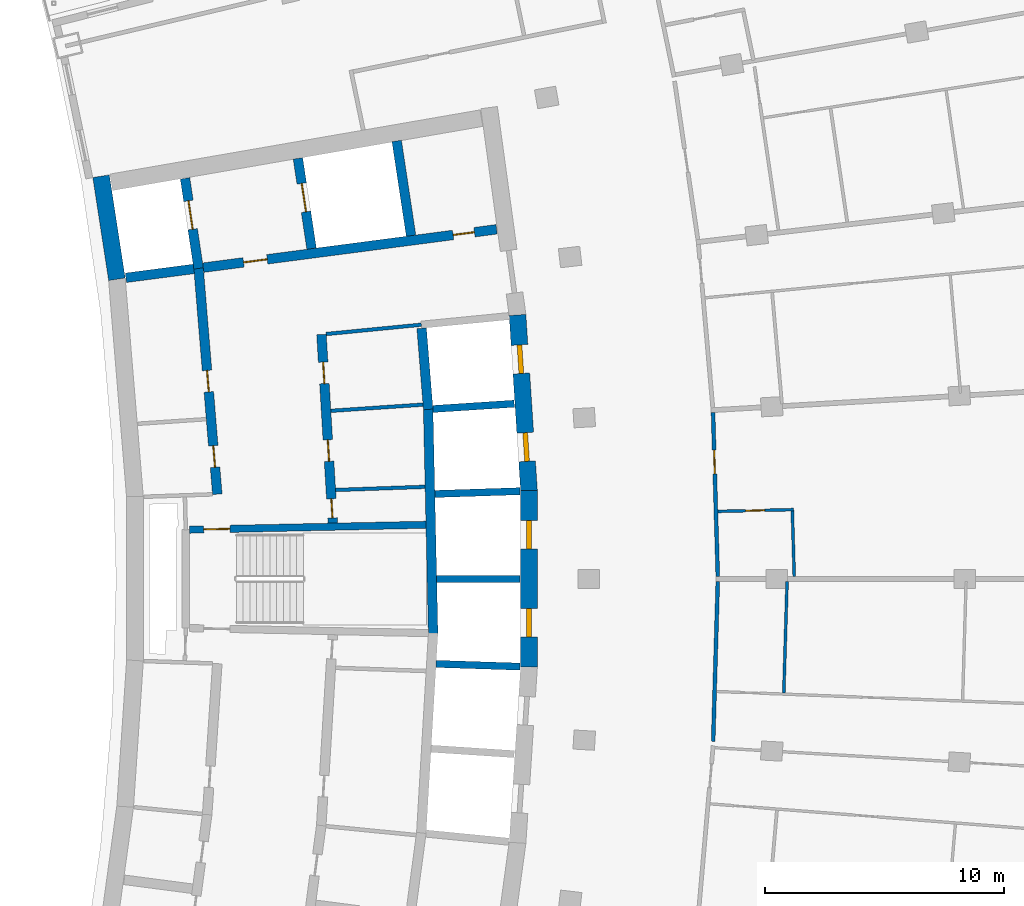
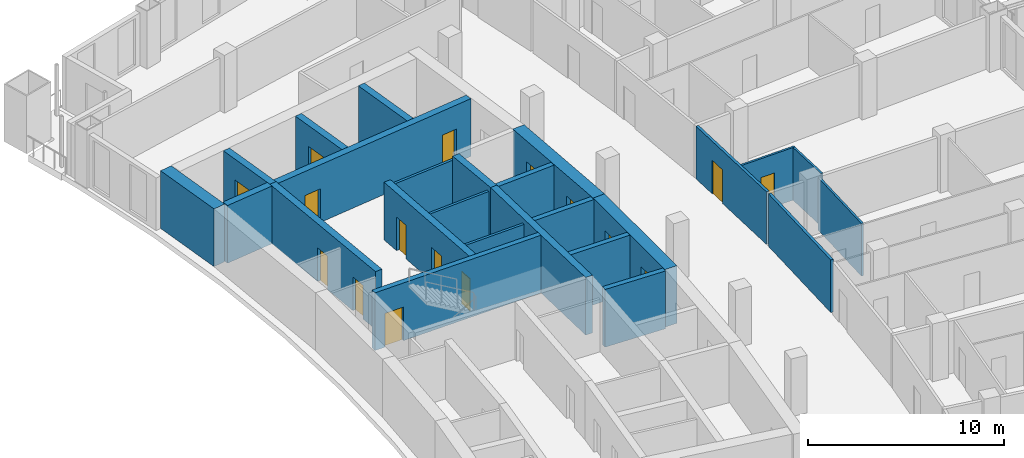
# One storey, part 13 of 20: 25 walls, 16 doors, 16 openings.
"""IFC4 building model written with IfcOpenShell, lengths in metres."""

from ifc_helpers import new_model, si_unit, direction, frame, frame_2d, origin, place, context, subcontext, project, spatial, rectangle, extrude, material, layer, layer_set, type_object, element, fill, save


model = new_model("IFC4")

# Units and contexts
model_context = context("Model", 3, precision=1e-05, world=origin(), true_north=direction((0.0, 1.0)))
body_context = subcontext(model_context, "Body", "Model", "MODEL_VIEW")
ifc_project = project(units=[si_unit("LENGTHUNIT", "METRE"), si_unit("AREAUNIT", "SQUARE_METRE"), si_unit("VOLUMEUNIT", "CUBIC_METRE"), si_unit("PLANEANGLEUNIT", "RADIAN"), si_unit("MASSUNIT", "GRAM", prefix="KILO")], contexts=[model_context])

# Site, building, storey
site_placement = place(None, origin())
site = spatial("IfcSite", under=ifc_project, at=site_placement, CompositionType="ELEMENT")
building_placement = place(site_placement, origin())
building = spatial("IfcBuilding", under=site, at=building_placement, Name="Alderwake Tower", CompositionType="ELEMENT")
storey_placement = place(building_placement, frame((0.0, 0.0, 164.0)))
storey = spatial("IfcBuildingStorey", under=building, at=storey_placement, Name="L40", CompositionType="ELEMENT", Elevation=164.0)

# Walls
ifc_material_1 = material(Name="Gypsum shaft wall system, rated")
ifc_layer_1 = layer(ifc_material_1, 0.14990234375)
ifc_layer_set_1 = layer_set([ifc_layer_1], Name="Core riser partition 150")
wall_type_1 = type_object("IfcWallType", Name="Core riser partition 150", PredefinedType="PARTITIONING", material=ifc_layer_set_1)
wall_1_placement = place(storey_placement, frame((25.191162109375, 64.723388671875, 0.0), z_axis=(0.0, 0.0, 1.0), x_axis=(0.999373256208, 0.035399078746, 0.0)))
element("IfcWall", 1, at=wall_1_placement, inside=storey, type_object=wall_type_1, Name="CW/L40/PR+37_+86", PredefinedType="PARTITIONING", context=body_context, shape_type="SweptSolid", body=[
    extrude(rectangle(XDim=3.751953125, YDim=0.14990234375, at=frame_2d((1.8759765625, 0.0))), origin(), (0.0, 0.0, 1.0), 3.280029296875),
])
ifc_material_2 = material(Name="Gypsum shaft wall system, rated")
ifc_layer_2 = layer(ifc_material_2, 0.14990234375)
ifc_layer_set_2 = layer_set([ifc_layer_2], Name="Core room partition 150")
wall_type_2 = type_object("IfcWallType", Name="Core room partition 150", PredefinedType="PARTITIONING", material=ifc_layer_set_2)
wall_2_placement = place(storey_placement, frame((24.992431640625, 68.038818359375, 0.0), z_axis=(0.0, 0.0, 1.0), x_axis=(0.997760236964, 0.066891774789, 0.0)))
element("IfcWall", 2, at=wall_2_placement, inside=storey, type_object=wall_type_2, Name="CW/L40/PR+70_+86", PredefinedType="PARTITIONING", context=body_context, shape_type="SweptSolid", body=[
    extrude(rectangle(XDim=3.86865234375, YDim=0.14990234375, at=frame_2d((1.934326171875, 0.0))), origin(), (0.0, 0.0, 1.0), 3.280029296875),
])
wall_3_placement = place(storey_placement, frame((24.799560546875, 71.2548828125, 0.0), z_axis=(0.0, 0.0, 1.0), x_axis=(0.995250000627, 0.097352125046, 0.0)))
element("IfcWall", 3, at=wall_3_placement, inside=storey, type_object=wall_type_2, Name="CW/L40/PR+102_+86", PredefinedType="PARTITIONING", context=body_context, shape_type="SweptSolid", body=[
    extrude(rectangle(XDim=4.0, YDim=0.14990234375, at=frame_2d((2.0, 0.0))), origin(), (0.0, 0.0, 1.0), 3.280029296875),
])
ifc_material_3 = material(Name="Concrete C70/85", Category="concrete")
ifc_layer_3 = layer(ifc_material_3, 0.699951171875)
ifc_layer_set_3 = layer_set([ifc_layer_3], Name="Core wall outer 700 C70-85")
wall_type_3 = type_object("IfcWallType", Name="Core wall outer 700 C70-85", PredefinedType="SHEAR", material=ifc_layer_set_3)
wall_4_placement = place(storey_placement, frame((16.033935546875, 73.547607421875, 0.0), z_axis=(0.0, 0.0, 1.0), x_axis=(-0.151897483467, 0.988396253795, 0.0)))
element("IfcWall", 4, at=wall_4_placement, inside=storey, type_object=wall_type_3, Name="Core wall CW.039", PredefinedType="SHEAR", context=body_context, shape_type="SweptSolid", body=[
    extrude(rectangle(XDim=4.365234375, YDim=0.699951171875, at=frame_2d((2.1826171875, 0.0))), origin(), (0.0, 0.0, 1.0), 3.60009765625),
])

# Wall, openings, doors
wall_5_placement = place(storey_placement, frame((33.2900390625, 57.30322265625, 0.0), z_axis=(0.0, 0.0, 1.0), x_axis=(0.0, 1.0, 0.0)))
wall_5 = element("IfcWall", 5, at=wall_5_placement, inside=storey, type_object=wall_type_3, Name="Core wall CW.013", PredefinedType="SHEAR", context=body_context, shape_type="SweptSolid", body=[
    extrude(rectangle(XDim=7.3935546875, YDim=0.699951171875, at=frame_2d((3.69677734375, 0.0))), origin(), (0.0, 0.0, 1.0), 3.60009765625),
])
opening_1_placement = place(wall_5_placement, frame((1.254150390625, 0.0, 0.0)))
opening_1 = element("IfcOpeningElement", 6, at=opening_1_placement, cuts=wall_5, Name="Opening LD-HP3", PredefinedType="OPENING", context=body_context, shape_type="SweptSolid", body=[
    extrude(rectangle(XDim=1.199951171875, YDim=2.300048828125, at=frame_2d((0.60009765625, 1.14990234375))), frame((0.0, 0.35986328125, 0.0), z_axis=(0.0, -1.0, 0.0), x_axis=(1.0, 0.0, 0.0)), (0.0, 0.0, 1.0), 0.719970703125),
])
opening_2_placement = place(wall_5_placement, frame((4.939208984375, 0.0, 0.0)))
opening_2 = element("IfcOpeningElement", 7, at=opening_2_placement, cuts=wall_5, Name="Opening LD-HP4", PredefinedType="OPENING", context=body_context, shape_type="SweptSolid", body=[
    extrude(rectangle(XDim=1.199951171875, YDim=2.300048828125, at=frame_2d((0.60009765625, 1.14990234375))), frame((0.0, 0.35986328125, 0.0), z_axis=(0.0, -1.0, 0.0), x_axis=(1.0, 0.0, 0.0)), (0.0, 0.0, 1.0), 0.719970703125),
])
ifc_material_4 = material(Name="Stainless steel sliding leaf", Category="steel")
door_type_1 = type_object("IfcDoorType", Name="Lift landing door 1200", OperationType="SLIDING_TO_LEFT", PredefinedType="DOOR", material=ifc_material_4)
door_1_placement = place(opening_1_placement, origin())
door_1 = element("IfcDoor", 8, at=door_1_placement, inside=storey, type_object=door_type_1, Name="Lift landing door HP3", OperationType="SLIDING_TO_LEFT", OverallHeight=2.300048828125, OverallWidth=1.199951171875, PredefinedType="DOOR", context=body_context, shape_type="SweptSolid", body=[
    extrude(rectangle(XDim=1.199951171875, YDim=2.300048828125, at=frame_2d((0.60009765625, 1.14990234375))), frame((0.0, 0.10009765625, 0.0), z_axis=(0.0, -1.0, 0.0), x_axis=(1.0, 0.0, 0.0)), (0.0, 0.0, 1.0), 0.199951171875),
])
fill(opening_1, door_1)
door_2_placement = place(opening_2_placement, origin())
door_2 = element("IfcDoor", 9, at=door_2_placement, inside=storey, type_object=door_type_1, Name="Lift landing door HP4", OperationType="SLIDING_TO_LEFT", OverallHeight=2.300048828125, OverallWidth=1.199951171875, PredefinedType="DOOR", context=body_context, shape_type="SweptSolid", body=[
    extrude(rectangle(XDim=1.199951171875, YDim=2.300048828125, at=frame_2d((0.60009765625, 1.14990234375))), frame((0.0, 0.10009765625, 0.0), z_axis=(0.0, -1.0, 0.0), x_axis=(1.0, 0.0, 0.0)), (0.0, 0.0, 1.0), 0.199951171875),
])
fill(opening_2, door_2)

wall_6_placement = place(storey_placement, frame((33.291015625, 64.6728515625, 0.0), z_axis=(0.0, 0.0, 1.0), x_axis=(-0.065009096017, 0.99788467141, 0.0)))
wall_6 = element("IfcWall", 10, at=wall_6_placement, inside=storey, type_object=wall_type_3, Name="Core wall CW.010", PredefinedType="SHEAR", context=body_context, shape_type="SweptSolid", body=[
    extrude(rectangle(XDim=7.39453125, YDim=0.699951171875, at=frame_2d((3.697265625, 0.0))), origin(), (0.0, 0.0, 1.0), 3.60009765625),
])
opening_3_placement = place(wall_6_placement, frame((1.25390625, 0.0, 0.0)))
opening_3 = element("IfcOpeningElement", 11, at=opening_3_placement, cuts=wall_6, Name="Opening LD-HP5", PredefinedType="OPENING", context=body_context, shape_type="SweptSolid", body=[
    extrude(rectangle(XDim=1.199951171875, YDim=2.300048828125, at=frame_2d((0.60009765625, 1.14990234375))), frame((0.0, 0.35986328125, 0.0), z_axis=(0.0, -1.0, 0.0), x_axis=(1.0, 0.0, 0.0)), (0.0, 0.0, 1.0), 0.719970703125),
])
opening_4_placement = place(wall_6_placement, frame((4.939208984375, 0.0, 0.0)))
opening_4 = element("IfcOpeningElement", 12, at=opening_4_placement, cuts=wall_6, Name="Opening LD-HP6", PredefinedType="OPENING", context=body_context, shape_type="SweptSolid", body=[
    extrude(rectangle(XDim=1.199951171875, YDim=2.300048828125, at=frame_2d((0.60009765625, 1.14990234375))), frame((0.0, 0.35986328125, 0.0), z_axis=(0.0, -1.0, 0.0), x_axis=(1.0, 0.0, 0.0)), (0.0, 0.0, 1.0), 0.719970703125),
])
door_3_placement = place(opening_3_placement, origin())
door_3 = element("IfcDoor", 13, at=door_3_placement, inside=storey, type_object=door_type_1, Name="Lift landing door HP5", OperationType="SLIDING_TO_LEFT", OverallHeight=2.300048828125, OverallWidth=1.199951171875, PredefinedType="DOOR", context=body_context, shape_type="SweptSolid", body=[
    extrude(rectangle(XDim=1.199951171875, YDim=2.300048828125, at=frame_2d((0.60009765625, 1.14990234375))), frame((0.0, 0.10009765625, 0.0), z_axis=(0.0, -1.0, 0.0), x_axis=(1.0, 0.0, 0.0)), (0.0, 0.0, 1.0), 0.199951171875),
])
fill(opening_3, door_3)
door_4_placement = place(opening_4_placement, origin())
door_4 = element("IfcDoor", 14, at=door_4_placement, inside=storey, type_object=door_type_1, Name="Lift landing door HP6", OperationType="SLIDING_TO_LEFT", OverallHeight=2.300048828125, OverallWidth=1.199951171875, PredefinedType="DOOR", context=body_context, shape_type="SweptSolid", body=[
    extrude(rectangle(XDim=1.199951171875, YDim=2.300048828125, at=frame_2d((0.60009765625, 1.14990234375))), frame((0.0, 0.10009765625, 0.0), z_axis=(0.0, -1.0, 0.0), x_axis=(1.0, 0.0, 0.0)), (0.0, 0.0, 1.0), 0.199951171875),
])
fill(opening_4, door_4)

# Walls
ifc_material_5 = material(Name="Concrete C70/85", Category="concrete")
ifc_layer_4 = layer(ifc_material_5, 0.300048828125)
ifc_layer_set_4 = layer_set([ifc_layer_4], Name="Core wall shaft 300 C70-85")
wall_type_4 = type_object("IfcWallType", Name="Core wall shaft 300 C70-85", PredefinedType="SHEAR", material=ifc_layer_set_4)
wall_7_placement = place(storey_placement, frame((29.400634765625, 57.441650390625, 0.0), z_axis=(0.0, 0.0, 1.0), x_axis=(0.999472716164, -0.032469826675, 0.0)))
element("IfcWall", 15, at=wall_7_placement, inside=storey, type_object=wall_type_4, Name="Core wall CW.075", PredefinedType="SHEAR", context=body_context, shape_type="SweptSolid", body=[
    extrude(rectangle(XDim=3.511474609375, YDim=0.300048828125, at=frame_2d((1.755859375, 0.0))), origin(), (0.0, 0.0, 1.0), 3.60009765625),
])
wall_8_placement = place(storey_placement, frame((29.426025390625, 61.0, 0.0), z_axis=(0.0, 0.0, 1.0), x_axis=(1.0, 0.0, 0.0)))
element("IfcWall", 16, at=wall_8_placement, inside=storey, type_object=wall_type_4, Name="Core wall CW.048", PredefinedType="SHEAR", context=body_context, shape_type="SweptSolid", body=[
    extrude(rectangle(XDim=3.484130859375, YDim=0.300048828125, at=frame_2d((1.7421875, 0.0))), origin(), (0.0, 0.0, 1.0), 3.60009765625),
])
wall_9_placement = place(storey_placement, frame((29.347412109375, 64.556396484375, 0.0), z_axis=(0.0, 0.0, 1.0), x_axis=(0.999470674121, 0.03253262319, 0.0)))
element("IfcWall", 17, at=wall_9_placement, inside=storey, type_object=wall_type_4, Name="Core wall CW.058", PredefinedType="SHEAR", context=body_context, shape_type="SweptSolid", body=[
    extrude(rectangle(XDim=3.564697265625, YDim=0.300048828125, at=frame_2d((1.7822265625, 0.0))), origin(), (0.0, 0.0, 1.0), 3.60009765625),
])
wall_10_placement = place(storey_placement, frame((29.268798828125, 68.115478515625, 0.0), z_axis=(0.0, 0.0, 1.0), x_axis=(0.997884450261, 0.065012490553, 0.0)))
element("IfcWall", 18, at=wall_10_placement, inside=storey, type_object=wall_type_4, Name="Core wall CW.061", PredefinedType="SHEAR", context=body_context, shape_type="SweptSolid", body=[
    extrude(rectangle(XDim=3.409912109375, YDim=0.300048828125, at=frame_2d((1.705078125, 0.0))), origin(), (0.0, 0.0, 1.0), 3.60009765625),
])

# Wall, openings, doors
ifc_material_6 = material(Name="Concrete C70/85", Category="concrete")
ifc_layer_5 = layer(ifc_material_6, 0.39990234375)
ifc_layer_set_5 = layer_set([ifc_layer_5], Name="Core wall spine 400 C70-85")
wall_type_5 = type_object("IfcWallType", Name="Core wall spine 400 C70-85", PredefinedType="SHEAR", material=ifc_layer_set_5)
wall_11_placement = place(storey_placement, frame((19.452392578125, 74.014892578125, 0.0), z_axis=(0.0, 0.0, 1.0), x_axis=(0.082628585297, -0.996580411654, 0.0)))
wall_11 = element("IfcWall", 19, at=wall_11_placement, inside=storey, type_object=wall_type_5, Name="Core wall CW.031", PredefinedType="SHEAR", context=body_context, shape_type="SweptSolid", body=[
    extrude(rectangle(XDim=9.499267578125, YDim=0.39990234375, at=frame_2d((4.74951171875, 0.0))), origin(), (0.0, 0.0, 1.0), 3.60009765625),
])
opening_5_placement = place(wall_11_placement, frame((7.4677734375, 0.0, 0.0)))
opening_5 = element("IfcOpeningElement", 20, at=opening_5_placement, cuts=wall_11, Name="Opening C053", PredefinedType="OPENING", context=body_context, shape_type="SweptSolid", body=[
    extrude(rectangle(XDim=0.89990234375, YDim=2.10009765625, at=frame_2d((0.449951171875, 1.050048828125))), frame((0.0, 0.2099609375, 0.0), z_axis=(0.0, -1.0, 0.0), x_axis=(1.0, 0.0, 0.0)), (0.0, 0.0, 1.0), 0.419921875),
])
opening_6_placement = place(wall_11_placement, frame((4.302978515625, 0.0, 0.0)))
opening_6 = element("IfcOpeningElement", 21, at=opening_6_placement, cuts=wall_11, Name="Opening C054", PredefinedType="OPENING", context=body_context, shape_type="SweptSolid", body=[
    extrude(rectangle(XDim=0.89990234375, YDim=2.10009765625, at=frame_2d((0.449951171875, 1.050048828125))), frame((0.0, 0.2099609375, 0.0), z_axis=(0.0, -1.0, 0.0), x_axis=(1.0, 0.0, 0.0)), (0.0, 0.0, 1.0), 0.419921875),
])
ifc_material_7 = material(Name="Painted steel leaf", Category="steel")
door_type_2 = type_object("IfcDoorType", Name="Core room door 900", OperationType="SINGLE_SWING_LEFT", PredefinedType="DOOR", material=ifc_material_7)
door_5_placement = place(opening_5_placement, origin())
door_5 = element("IfcDoor", 22, at=door_5_placement, inside=storey, type_object=door_type_2, Name="Room door", OperationType="SINGLE_SWING_LEFT", OverallHeight=2.10009765625, OverallWidth=0.89990234375, PredefinedType="DOOR", context=body_context, shape_type="SweptSolid", body=[
    extrude(rectangle(XDim=0.89990234375, YDim=2.10009765625, at=frame_2d((0.449951171875, 1.050048828125))), frame((0.0, 0.02490234375, 0.0), z_axis=(0.0, -1.0, 0.0), x_axis=(1.0, 0.0, 0.0)), (0.0, 0.0, 1.0), 0.050048828125),
])
fill(opening_5, door_5)
door_6_placement = place(opening_6_placement, origin())
door_6 = element("IfcDoor", 23, at=door_6_placement, inside=storey, type_object=door_type_2, Name="Room door", OperationType="SINGLE_SWING_RIGHT", OverallHeight=2.10009765625, OverallWidth=0.89990234375, PredefinedType="DOOR", context=body_context, shape_type="SweptSolid", body=[
    extrude(rectangle(XDim=0.89990234375, YDim=2.10009765625, at=frame_2d((0.449951171875, 1.050048828125))), frame((0.0, 0.02490234375, 0.0), z_axis=(0.0, -1.0, 0.0), x_axis=(1.0, 0.0, 0.0)), (0.0, 0.0, 1.0), 0.050048828125),
])
fill(opening_6, door_6)

# Wall, opening, door
wall_12_placement = place(storey_placement, frame((19.4541015625, 74.000732421875, 0.0), z_axis=(0.0, 0.0, 1.0), x_axis=(-0.148540738889, 0.988906289236, 0.0)))
wall_12 = element("IfcWall", 24, at=wall_12_placement, inside=storey, type_object=wall_type_5, Name="Core wall CW.030", PredefinedType="SHEAR", context=body_context, shape_type="SweptSolid", body=[
    extrude(rectangle(XDim=3.814697265625, YDim=0.39990234375, at=frame_2d((1.9072265625, 0.0))), origin(), (0.0, 0.0, 1.0), 3.60009765625),
])
opening_7_placement = place(wall_12_placement, frame((1.660888671875, 0.0, 0.0)))
opening_7 = element("IfcOpeningElement", 25, at=opening_7_placement, cuts=wall_12, Name="Opening LD-FF1", PredefinedType="OPENING", context=body_context, shape_type="SweptSolid", body=[
    extrude(rectangle(XDim=1.199951171875, YDim=2.300048828125, at=frame_2d((0.60009765625, 1.14990234375))), frame((0.0, 0.2099609375, 0.0), z_axis=(0.0, -1.0, 0.0), x_axis=(1.0, 0.0, 0.0)), (0.0, 0.0, 1.0), 0.419921875),
])
door_7_placement = place(opening_7_placement, origin())
door_7 = element("IfcDoor", 26, at=door_7_placement, inside=storey, type_object=door_type_1, Name="Lift landing door FF1", OperationType="SLIDING_TO_LEFT", OverallHeight=2.300048828125, OverallWidth=1.199951171875, PredefinedType="DOOR", context=body_context, shape_type="SweptSolid", body=[
    extrude(rectangle(XDim=1.199951171875, YDim=2.300048828125, at=frame_2d((0.60009765625, 1.14990234375))), frame((0.0, 0.02490234375, 0.0), z_axis=(0.0, -1.0, 0.0), x_axis=(1.0, 0.0, 0.0)), (0.0, 0.0, 1.0), 0.050048828125),
])
fill(opening_7, door_7)

# Wall, openings, doors
wall_13_placement = place(storey_placement, frame((25.073974609375, 63.335693359375, 0.0), z_axis=(0.0, 0.0, 1.0), x_axis=(-0.059848641072, 0.998207463487, 0.0)))
wall_13 = element("IfcWall", 27, at=wall_13_placement, inside=storey, type_object=wall_type_5, Name="Core wall CW.045", PredefinedType="SHEAR", context=body_context, shape_type="SweptSolid", body=[
    extrude(rectangle(XDim=7.913818359375, YDim=0.39990234375, at=frame_2d((3.95703125, 0.0))), origin(), (0.0, 0.0, 1.0), 3.60009765625),
])
opening_8_placement = place(wall_13_placement, frame((0.216064453125, 0.0, 0.0)))
opening_8 = element("IfcOpeningElement", 28, at=opening_8_placement, cuts=wall_13, Name="Opening C005", PredefinedType="OPENING", context=body_context, shape_type="SweptSolid", body=[
    extrude(rectangle(XDim=0.800048828125, YDim=2.0, at=frame_2d((0.39990234375, 1.0))), frame((0.0, 0.2099609375, 0.0), z_axis=(0.0, -1.0, 0.0), x_axis=(1.0, 0.0, 0.0)), (0.0, 0.0, 1.0), 0.419921875),
])
opening_9_placement = place(wall_13_placement, frame((5.856201171875, 0.0, 0.0)))
opening_9 = element("IfcOpeningElement", 29, at=opening_9_placement, cuts=wall_13, Name="Opening C023", PredefinedType="OPENING", context=body_context, shape_type="SweptSolid", body=[
    extrude(rectangle(XDim=0.89990234375, YDim=2.10009765625, at=frame_2d((0.449951171875, 1.050048828125))), frame((0.0, 0.2099609375, 0.0), z_axis=(0.0, -1.0, 0.0), x_axis=(1.0, 0.0, 0.0)), (0.0, 0.0, 1.0), 0.419921875),
])
opening_10_placement = place(wall_13_placement, frame((2.590087890625, 0.0, 0.0)))
opening_10 = element("IfcOpeningElement", 30, at=opening_10_placement, cuts=wall_13, Name="Opening C059", PredefinedType="OPENING", context=body_context, shape_type="SweptSolid", body=[
    extrude(rectangle(XDim=0.89990234375, YDim=2.10009765625, at=frame_2d((0.449951171875, 1.050048828125))), frame((0.0, 0.2099609375, 0.0), z_axis=(0.0, -1.0, 0.0), x_axis=(1.0, 0.0, 0.0)), (0.0, 0.0, 1.0), 0.419921875),
])
door_8_placement = place(opening_9_placement, origin())
door_8 = element("IfcDoor", 31, at=door_8_placement, inside=storey, type_object=door_type_2, Name="Room door", OperationType="SINGLE_SWING_RIGHT", OverallHeight=2.10009765625, OverallWidth=0.89990234375, PredefinedType="DOOR", context=body_context, shape_type="SweptSolid", body=[
    extrude(rectangle(XDim=0.89990234375, YDim=2.10009765625, at=frame_2d((0.449951171875, 1.050048828125))), frame((0.0, 0.02490234375, 0.0), z_axis=(0.0, -1.0, 0.0), x_axis=(1.0, 0.0, 0.0)), (0.0, 0.0, 1.0), 0.050048828125),
])
fill(opening_9, door_8)
door_9_placement = place(opening_10_placement, origin())
door_9 = element("IfcDoor", 32, at=door_9_placement, inside=storey, type_object=door_type_2, Name="Room door", OperationType="SINGLE_SWING_LEFT", OverallHeight=2.10009765625, OverallWidth=0.89990234375, PredefinedType="DOOR", context=body_context, shape_type="SweptSolid", body=[
    extrude(rectangle(XDim=0.89990234375, YDim=2.10009765625, at=frame_2d((0.449951171875, 1.050048828125))), frame((0.0, 0.02490234375, 0.0), z_axis=(0.0, -1.0, 0.0), x_axis=(1.0, 0.0, 0.0)), (0.0, 0.0, 1.0), 0.050048828125),
])
fill(opening_10, door_9)
ifc_material_8 = material(Name="Painted steel leaf, rated", Category="steel")
door_type_3 = type_object("IfcDoorType", Name="Riser access door 800", OperationType="SINGLE_SWING_LEFT", PredefinedType="DOOR", material=ifc_material_8)
door_10_placement = place(opening_8_placement, origin())
door_10 = element("IfcDoor", 33, at=door_10_placement, inside=storey, type_object=door_type_3, Name="Riser access door", OperationType="SINGLE_SWING_LEFT", OverallHeight=2.0, OverallWidth=0.800048828125, PredefinedType="DOOR", context=body_context, shape_type="SweptSolid", body=[
    extrude(rectangle(XDim=0.800048828125, YDim=2.0, at=frame_2d((0.39990234375, 1.0))), frame((0.0, 0.02490234375, 0.0), z_axis=(0.0, -1.0, 0.0), x_axis=(1.0, 0.0, 0.0)), (0.0, 0.0, 1.0), 0.050048828125),
])
fill(opening_8, door_10)

# Wall, opening, door
wall_14_placement = place(storey_placement, frame((24.186279296875, 74.82861328125, 0.0), z_axis=(0.0, 0.0, 1.0), x_axis=(-0.149604879253, 0.988745862243, 0.0)))
wall_14 = element("IfcWall", 34, at=wall_14_placement, inside=storey, type_object=wall_type_5, Name="Core wall CW.044", PredefinedType="SHEAR", context=body_context, shape_type="SweptSolid", body=[
    extrude(rectangle(XDim=3.823486328125, YDim=0.39990234375, at=frame_2d((1.91162109375, 0.0))), origin(), (0.0, 0.0, 1.0), 3.60009765625),
])
opening_11_placement = place(wall_14_placement, frame((1.561767578125, 0.0, 0.0)))
opening_11 = element("IfcOpeningElement", 35, at=opening_11_placement, cuts=wall_14, Name="Opening LD-FF2", PredefinedType="OPENING", context=body_context, shape_type="SweptSolid", body=[
    extrude(rectangle(XDim=1.199951171875, YDim=2.300048828125, at=frame_2d((0.60009765625, 1.14990234375))), frame((0.0, 0.2099609375, 0.0), z_axis=(0.0, -1.0, 0.0), x_axis=(1.0, 0.0, 0.0)), (0.0, 0.0, 1.0), 0.419921875),
])
door_11_placement = place(opening_11_placement, origin())
door_11 = element("IfcDoor", 36, at=door_11_placement, inside=storey, type_object=door_type_1, Name="Lift landing door FF2", OperationType="SLIDING_TO_LEFT", OverallHeight=2.300048828125, OverallWidth=1.199951171875, PredefinedType="DOOR", context=body_context, shape_type="SweptSolid", body=[
    extrude(rectangle(XDim=1.199951171875, YDim=2.300048828125, at=frame_2d((0.60009765625, 1.14990234375))), frame((0.0, 0.02490234375, 0.0), z_axis=(0.0, -1.0, 0.0), x_axis=(1.0, 0.0, 0.0)), (0.0, 0.0, 1.0), 0.050048828125),
])
fill(opening_11, door_11)

# Walls
wall_15_placement = place(storey_placement, frame((29.276611328125, 58.71826171875, 0.0), z_axis=(0.0, 0.0, 1.0), x_axis=(-0.022119171053, 0.999755341207, 0.0)))
element("IfcWall", 37, at=wall_15_placement, inside=storey, type_object=wall_type_5, Name="Core wall CW.007", PredefinedType="SHEAR", context=body_context, shape_type="SweptSolid", body=[
    extrude(rectangle(XDim=9.392822265625, YDim=0.39990234375, at=frame_2d((4.6962890625, 0.0))), origin(), (0.0, 0.0, 1.0), 3.60009765625),
])
wall_16_placement = place(storey_placement, frame((29.069580078125, 68.09619140625, 0.0), z_axis=(0.0, 0.0, 1.0), x_axis=(-0.080544811251, 0.996750988653, 0.0)))
element("IfcWall", 38, at=wall_16_placement, inside=storey, type_object=wall_type_5, Name="Core wall CW.003", PredefinedType="SHEAR", context=body_context, shape_type="SweptSolid", body=[
    extrude(rectangle(XDim=3.409912109375, YDim=0.39990234375, at=frame_2d((1.705078125, 0.0))), origin(), (0.0, 0.0, 1.0), 3.60009765625),
])
wall_17_placement = place(storey_placement, frame((28.350830078125, 75.373291015625, 0.0), z_axis=(0.0, 0.0, 1.0), x_axis=(-0.149688214264, 0.988733249421, 0.0)))
element("IfcWall", 39, at=wall_17_placement, inside=storey, type_object=wall_type_5, Name="Core wall CW.001", PredefinedType="SHEAR", context=body_context, shape_type="SweptSolid", body=[
    extrude(rectangle(XDim=4.01220703125, YDim=0.39990234375, at=frame_2d((2.006103515625, 0.0))), origin(), (0.0, 0.0, 1.0), 3.60009765625),
])
wall_18_placement = place(storey_placement, frame((16.4091796875, 73.609619140625, 0.0), z_axis=(0.0, 0.0, 1.0), x_axis=(0.991557657486, 0.129666541102, 0.0)))
element("IfcWall", 40, at=wall_18_placement, inside=storey, type_object=wall_type_5, Name="Core wall CW.051", PredefinedType="SHEAR", context=body_context, shape_type="SweptSolid", body=[
    extrude(rectangle(XDim=2.869384765625, YDim=0.39990234375, at=frame_2d((1.4345703125, 0.0))), origin(), (0.0, 0.0, 1.0), 3.60009765625),
])

# Wall, openings, doors
wall_19_placement = place(storey_placement, frame((31.933837890625, 75.64013671875, 0.0), z_axis=(0.0, 0.0, 1.0), x_axis=(-0.991554628634, -0.129689700573, 0.0)))
wall_19 = element("IfcWall", 41, at=wall_19_placement, inside=storey, type_object=wall_type_5, Name="Core wall CW.052", PredefinedType="SHEAR", context=body_context, shape_type="SweptSolid", body=[
    extrude(rectangle(XDim=12.38671875, YDim=0.39990234375, at=frame_2d((6.193359375, 0.0))), origin(), (0.0, 0.0, 1.0), 3.60009765625),
])
opening_12_placement = place(wall_19_placement, frame((9.687255859375, 0.0, 0.0)))
opening_12 = element("IfcOpeningElement", 42, at=opening_12_placement, cuts=wall_19, Name="Opening C002", PredefinedType="OPENING", context=body_context, shape_type="SweptSolid", body=[
    extrude(rectangle(XDim=1.0, YDim=2.10009765625, at=frame_2d((0.5, 1.050048828125))), frame((0.0, 0.2099609375, 0.0), z_axis=(0.0, -1.0, 0.0), x_axis=(1.0, 0.0, 0.0)), (0.0, 0.0, 1.0), 0.419921875),
])
opening_13_placement = place(wall_19_placement, frame((0.937255859375, 0.0, 0.0)))
opening_13 = element("IfcOpeningElement", 43, at=opening_13_placement, cuts=wall_19, Name="Opening C020", PredefinedType="OPENING", context=body_context, shape_type="SweptSolid", body=[
    extrude(rectangle(XDim=0.89990234375, YDim=2.10009765625, at=frame_2d((0.449951171875, 1.050048828125))), frame((0.0, 0.2099609375, 0.0), z_axis=(0.0, -1.0, 0.0), x_axis=(1.0, 0.0, 0.0)), (0.0, 0.0, 1.0), 0.419921875),
])
door_12_placement = place(opening_13_placement, origin())
door_12 = element("IfcDoor", 44, at=door_12_placement, inside=storey, type_object=door_type_2, Name="Room door", OperationType="SINGLE_SWING_LEFT", OverallHeight=2.10009765625, OverallWidth=0.89990234375, PredefinedType="DOOR", context=body_context, shape_type="SweptSolid", body=[
    extrude(rectangle(XDim=0.89990234375, YDim=2.10009765625, at=frame_2d((0.449951171875, 1.050048828125))), frame((0.0, 0.02490234375, 0.0), z_axis=(0.0, -1.0, 0.0), x_axis=(1.0, 0.0, 0.0)), (0.0, 0.0, 1.0), 0.050048828125),
])
fill(opening_13, door_12)
ifc_material_9 = material(Name="Steel-framed fire door leaf", Category="steel")
door_type_4 = type_object("IfcDoorType", Name="Firefighting lobby door 1000 fire-rated", OperationType="SINGLE_SWING_LEFT", PredefinedType="DOOR", material=ifc_material_9)
door_13_placement = place(opening_12_placement, origin())
door_13 = element("IfcDoor", 45, at=door_13_placement, inside=storey, type_object=door_type_4, Name="Firefighting lobby door", OperationType="SINGLE_SWING_RIGHT", OverallHeight=2.10009765625, OverallWidth=1.0, PredefinedType="DOOR", context=body_context, shape_type="SweptSolid", body=[
    extrude(rectangle(XDim=1.0, YDim=2.10009765625, at=frame_2d((0.5, 1.050048828125))), frame((0.0, 0.02490234375, 0.0), z_axis=(0.0, -1.0, 0.0), x_axis=(1.0, 0.0, 0.0)), (0.0, 0.0, 1.0), 0.050048828125),
])
fill(opening_12, door_13)

# Wall, opening, door
ifc_material_10 = material(Name="Concrete C70/85", Category="concrete")
ifc_layer_6 = layer(ifc_material_10, 0.300048828125)
ifc_layer_set_6 = layer_set([ifc_layer_6], Name="Core wall stair enclosure 300 C70-85")
wall_type_6 = type_object("IfcWallType", Name="Core wall stair enclosure 300 C70-85", PredefinedType="SHEAR", material=ifc_layer_set_6)
wall_20_placement = place(storey_placement, frame((19.068603515625, 63.060791015625, 0.0), z_axis=(0.0, 0.0, 1.0), x_axis=(0.999783782948, 0.020793925895, 0.0)))
wall_20 = element("IfcWall", 46, at=wall_20_placement, inside=storey, type_object=wall_type_6, Name="Core wall CW.057", PredefinedType="SHEAR", context=body_context, shape_type="SweptSolid", body=[
    extrude(rectangle(XDim=9.909423828125, YDim=0.300048828125, at=frame_2d((4.95458984375, 0.0))), origin(), (0.0, 0.0, 1.0), 3.60009765625),
])
opening_14_placement = place(wall_20_placement, frame((0.60009765625, 0.0, 0.0)))
opening_14 = element("IfcOpeningElement", 47, at=opening_14_placement, cuts=wall_20, Name="Opening C064", PredefinedType="OPENING", context=body_context, shape_type="SweptSolid", body=[
    extrude(rectangle(XDim=1.10009765625, YDim=2.10009765625, at=frame_2d((0.550048828125, 1.050048828125))), frame((0.0, 0.159912109375, 0.0), z_axis=(0.0, -1.0, 0.0), x_axis=(1.0, 0.0, 0.0)), (0.0, 0.0, 1.0), 0.320068359375),
])
ifc_material_11 = material(Name="Steel-framed fire door leaf", Category="steel")
door_type_5 = type_object("IfcDoorType", Name="Core stair door 1100 fire-rated", OperationType="SINGLE_SWING_LEFT", PredefinedType="DOOR", material=ifc_material_11)
door_14_placement = place(opening_14_placement, origin())
door_14 = element("IfcDoor", 48, at=door_14_placement, inside=storey, type_object=door_type_5, Name="Stair door", OperationType="SINGLE_SWING_LEFT", OverallHeight=2.10009765625, OverallWidth=1.10009765625, PredefinedType="DOOR", context=body_context, shape_type="SweptSolid", body=[
    extrude(rectangle(XDim=1.10009765625, YDim=2.10009765625, at=frame_2d((0.550048828125, 1.050048828125))), frame((0.0, 0.02490234375, 0.0), z_axis=(0.0, -1.0, 0.0), x_axis=(1.0, 0.0, 0.0)), (0.0, 0.0, 1.0), 0.050048828125),
])
fill(opening_14, door_14)

# Wall
ifc_material_12 = material(Name="Gypsum board on metal studs, rated")
ifc_layer_7 = layer(ifc_material_12, 0.159912109375)
ifc_layer_set_7 = layer_set([ifc_layer_7], Name="Corridor wall 160")
wall_type_7 = type_object("IfcWallType", Name="Corridor wall 160", PredefinedType="PARTITIONING", material=ifc_layer_set_7)
wall_21_placement = place(storey_placement, frame((41.002685546875, 54.20068359375, 0.0), z_axis=(0.0, 0.0, 1.0), x_axis=(0.028855161601, 0.999583603131, 0.0)))
element("IfcWall", 49, at=wall_21_placement, inside=storey, type_object=wall_type_7, Name="WL/L40/W25", PredefinedType="PARTITIONING", context=body_context, shape_type="SweptSolid", body=[
    extrude(rectangle(XDim=6.700927734375, YDim=0.159912109375, at=frame_2d((3.3505859375, 0.0))), origin(), (0.0, 0.0, 1.0), 3.280029296875),
])

# Wall, opening, door
wall_22_placement = place(storey_placement, frame((40.997802734375, 67.967041015625, 0.0), z_axis=(0.0, 0.0, 1.0), x_axis=(0.028852935833, -0.99958366738, 0.0)))
wall_22 = element("IfcWall", 50, at=wall_22_placement, inside=storey, type_object=wall_type_7, Name="WL/L40/W27", PredefinedType="PARTITIONING", context=body_context, shape_type="SweptSolid", body=[
    extrude(rectangle(XDim=6.870849609375, YDim=0.159912109375, at=frame_2d((3.435546875, 0.0))), origin(), (0.0, 0.0, 1.0), 3.280029296875),
])
opening_15_placement = place(wall_22_placement, frame((1.5712890625, 0.0, 0.0)))
opening_15 = element("IfcOpeningElement", 51, at=opening_15_placement, cuts=wall_22, Name="Opening R11-U06.1", PredefinedType="OPENING", context=body_context, shape_type="SweptSolid", body=[
    extrude(rectangle(XDim=1.0, YDim=2.10009765625, at=frame_2d((0.5, 1.050048828125))), frame((0.0, 0.08984375, 0.0), z_axis=(0.0, -1.0, 0.0), x_axis=(1.0, 0.0, 0.0)), (0.0, 0.0, 1.0), 0.179931640625),
])
ifc_material_13 = material(Name="Solid timber leaf in steel frame", Category="steel")
door_type_6 = type_object("IfcDoorType", Name="Flat entrance door 1000 fire-rated", OperationType="SINGLE_SWING_LEFT", PredefinedType="DOOR", material=ifc_material_13)
door_15_placement = place(opening_15_placement, origin())
door_15 = element("IfcDoor", 52, at=door_15_placement, inside=storey, type_object=door_type_6, Name="DR/L40/U06.1", OperationType="SINGLE_SWING_LEFT", OverallHeight=2.10009765625, OverallWidth=1.0, PredefinedType="DOOR", context=body_context, shape_type="SweptSolid", body=[
    extrude(rectangle(XDim=1.0, YDim=2.10009765625, at=frame_2d((0.5, 1.050048828125))), frame((0.0, 0.02490234375, 0.0), z_axis=(0.0, -1.0, 0.0), x_axis=(1.0, 0.0, 0.0)), (0.0, 0.0, 1.0), 0.050048828125),
])
fill(opening_15, door_15)

# Wall
ifc_material_14 = material(Name="Moisture resistant gypsum board on metal studs")
ifc_layer_8 = layer(ifc_material_14, 0.1201171875)
ifc_layer_set_8 = layer_set([ifc_layer_8], Name="Wet room partition 120")
wall_type_8 = type_object("IfcWallType", Name="Wet room partition 120", PredefinedType="PARTITIONING", material=ifc_layer_set_8)
wall_23_placement = place(storey_placement, frame((43.96044921875, 56.22802734375, 0.0), z_axis=(0.0, 0.0, 1.0), x_axis=(0.029257801765, 0.999571898883, 0.0)))
element("IfcWall", 53, at=wall_23_placement, inside=storey, type_object=wall_type_8, Name="WL/L40/W38", PredefinedType="PARTITIONING", context=body_context, shape_type="SweptSolid", body=[
    extrude(rectangle(XDim=4.6728515625, YDim=0.1201171875, at=frame_2d((2.33642578125, 0.0))), origin(), (0.0, 0.0, 1.0), 3.280029296875),
])

# Wall, opening, door
wall_24_placement = place(storey_placement, frame((44.3759765625, 63.9013671875, 0.0), z_axis=(0.0, 0.0, 1.0), x_axis=(-0.999725609485, -0.02342446884, 0.0)))
wall_24 = element("IfcWall", 54, at=wall_24_placement, inside=storey, type_object=wall_type_8, Name="WL/L40/W39", PredefinedType="PARTITIONING", context=body_context, shape_type="SweptSolid", body=[
    extrude(rectangle(XDim=3.178955078125, YDim=0.1201171875, at=frame_2d((1.58935546875, 0.0))), origin(), (0.0, 0.0, 1.0), 3.280029296875),
])
opening_16_placement = place(wall_24_placement, frame((1.2197265625, 0.0, 0.0)))
opening_16 = element("IfcOpeningElement", 55, at=opening_16_placement, cuts=wall_24, Name="Opening R11-U06.2", PredefinedType="OPENING", context=body_context, shape_type="SweptSolid", body=[
    extrude(rectangle(XDim=0.800048828125, YDim=2.10009765625, at=frame_2d((0.39990234375, 1.050048828125))), frame((0.0, 0.070068359375, 0.0), z_axis=(0.0, -1.0, 0.0), x_axis=(1.0, 0.0, 0.0)), (0.0, 0.0, 1.0), 0.14013671875),
])
ifc_material_15 = material(Name="Painted timber leaf", Category="wood")
door_type_7 = type_object("IfcDoorType", Name="Bathroom door 800", OperationType="SINGLE_SWING_LEFT", PredefinedType="DOOR", material=ifc_material_15)
door_16_placement = place(opening_16_placement, origin())
door_16 = element("IfcDoor", 56, at=door_16_placement, inside=storey, type_object=door_type_7, Name="DR/L40/U06.2", OperationType="SINGLE_SWING_LEFT", OverallHeight=2.10009765625, OverallWidth=0.800048828125, PredefinedType="DOOR", context=body_context, shape_type="SweptSolid", body=[
    extrude(rectangle(XDim=0.800048828125, YDim=2.10009765625, at=frame_2d((0.39990234375, 1.050048828125))), frame((0.0, 0.02490234375, 0.0), z_axis=(0.0, -1.0, 0.0), x_axis=(1.0, 0.0, 0.0)), (0.0, 0.0, 1.0), 0.050048828125),
])
fill(opening_16, door_16)

# Wall
wall_25_placement = place(storey_placement, frame((44.397216796875, 61.09912109375, 0.0), z_axis=(0.0, 0.0, 1.0), x_axis=(-0.029024908923, 0.999578688579, 0.0)))
element("IfcWall", 57, at=wall_25_placement, inside=storey, type_object=wall_type_8, Name="WL/L40/W40", PredefinedType="PARTITIONING", context=body_context, shape_type="SweptSolid", body=[
    extrude(rectangle(XDim=2.7421875, YDim=0.1201171875, at=frame_2d((1.37109375, 0.0))), origin(), (0.0, 0.0, 1.0), 3.280029296875),
])

save(model, "model.ifc")
